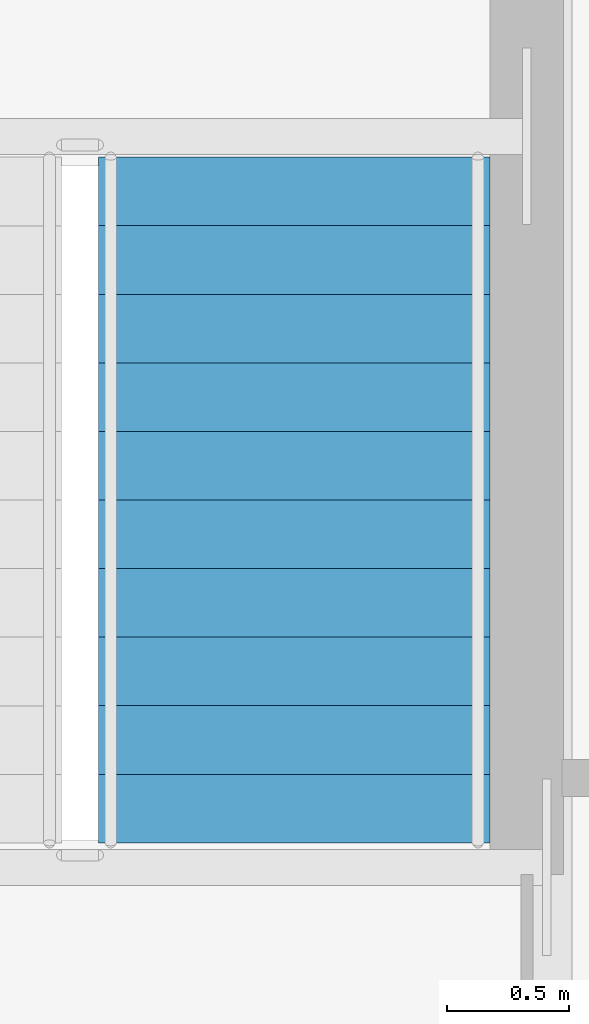
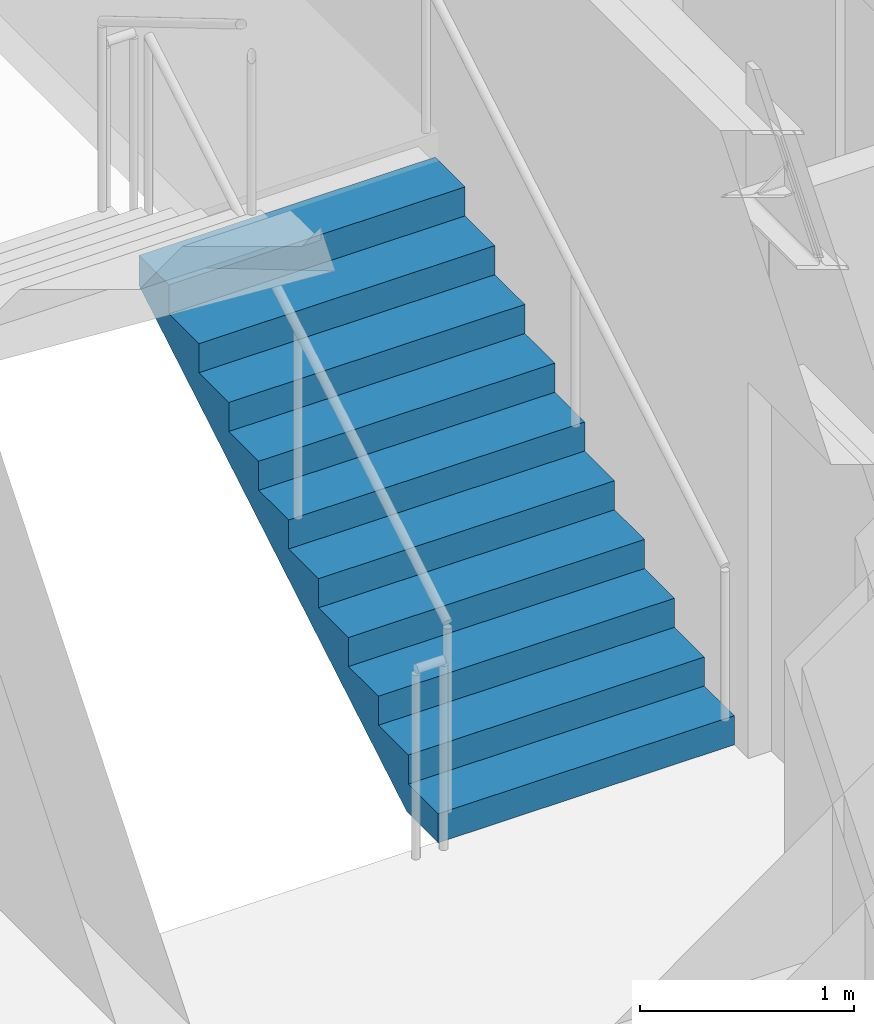
# One storey, part 17 of 19: 1 stair flight, 1 element without a shape of its own.
"""IFC4 building model written with IfcOpenShell, lengths in metres."""

from ifc_helpers import new_model, si_unit, direction, frame, origin, place, context, subcontext, project, spatial, polyline, outline, extrude, material, type_object, element, aggregate, save


model = new_model("IFC4")

# Units and contexts
model_context = context("Model", 3, precision=1e-05, world=origin(), true_north=direction((0.0, 1.0)))
body_context = subcontext(model_context, "Body", "Model", "MODEL_VIEW")
ifc_project = project(units=[si_unit("LENGTHUNIT", "METRE"), si_unit("AREAUNIT", "SQUARE_METRE"), si_unit("VOLUMEUNIT", "CUBIC_METRE"), si_unit("PLANEANGLEUNIT", "RADIAN"), si_unit("MASSUNIT", "GRAM", prefix="KILO")], contexts=[model_context])

# Site, building, storey
site_placement = place(None, origin())
site = spatial("IfcSite", under=ifc_project, at=site_placement, CompositionType="ELEMENT")
building_placement = place(site_placement, origin())
building = spatial("IfcBuilding", under=site, at=building_placement, Name="Khamvora Tower", CompositionType="ELEMENT")
storey_placement = place(building_placement, frame((0.0, 0.0, 120.14990234375)))
storey = spatial("IfcBuildingStorey", under=building, at=storey_placement, Name="L30", CompositionType="ELEMENT", Elevation=120.14990234375)

# Stair, stair flight
ifc_material = material(Name="Concrete C40/50", Category="concrete")
stair_type = type_object("IfcStairType", Name="STR-ST-02", PredefinedType="HALF_TURN_STAIR", material=ifc_material)
stair_placement = place(storey_placement, origin())
stair = element("IfcStair", 1, at=stair_placement, inside=storey, type_object=stair_type, Name="L30 North Tower Exit Stair ST-02", PredefinedType="HALF_TURN_STAIR")
stair_flight_type = type_object("IfcStairFlightType", Name="STF-ST-02", PredefinedType="STRAIGHT", material=ifc_material)
stair_flight_placement = place(storey_placement, frame((31.699951171875, 29.85009765625, 0.0), z_axis=(0.0, 0.0, 1.0), x_axis=(0.0, 1.0, 0.0)))
stair_flight = element("IfcStairFlight", 2, at=stair_flight_placement, type_object=stair_flight_type, Name="ST-02 flight 1", NumberOfRisers=11, NumberOfTreads=10, PredefinedType="STRAIGHT", RiserHeight=0.165909091, TreadLength=0.28, context=body_context, shape_type="SweptSolid", body=[
    extrude(outline(polyline([(0.0, 0.0), (0.0, 0.166015625), (0.280029296875, 0.166015625), (0.280029296875, 0.331787109375), (0.56005859375, 0.331787109375), (0.56005859375, 0.497802734375), (0.840087890625, 0.497802734375), (0.840087890625, 0.66357421875), (1.1201171875, 0.66357421875), (1.1201171875, 0.82958984375), (1.39990234375, 0.82958984375), (1.39990234375, 0.995361328125), (1.679931640625, 0.995361328125), (1.679931640625, 1.161376953125), (1.9599609375, 1.161376953125), (1.9599609375, 1.327392578125), (2.239990234375, 1.327392578125), (2.239990234375, 1.4931640625), (2.52001953125, 1.4931640625), (2.52001953125, 1.6591796875), (2.800048828125, 1.6591796875), (2.800048828125, 1.824951171875), (2.800048828125, 1.48486328125), (0.2939453125, 0.0), (0.0, 0.0)])), frame((0.0, 0.800048828125, 0.0), z_axis=(0.0, -1.0, 0.0), x_axis=(1.0, 0.0, 0.0)), (0.0, 0.0, 1.0), 1.60009765625),
])
aggregate(stair, [stair_flight])

save(model, "model.ifc")
